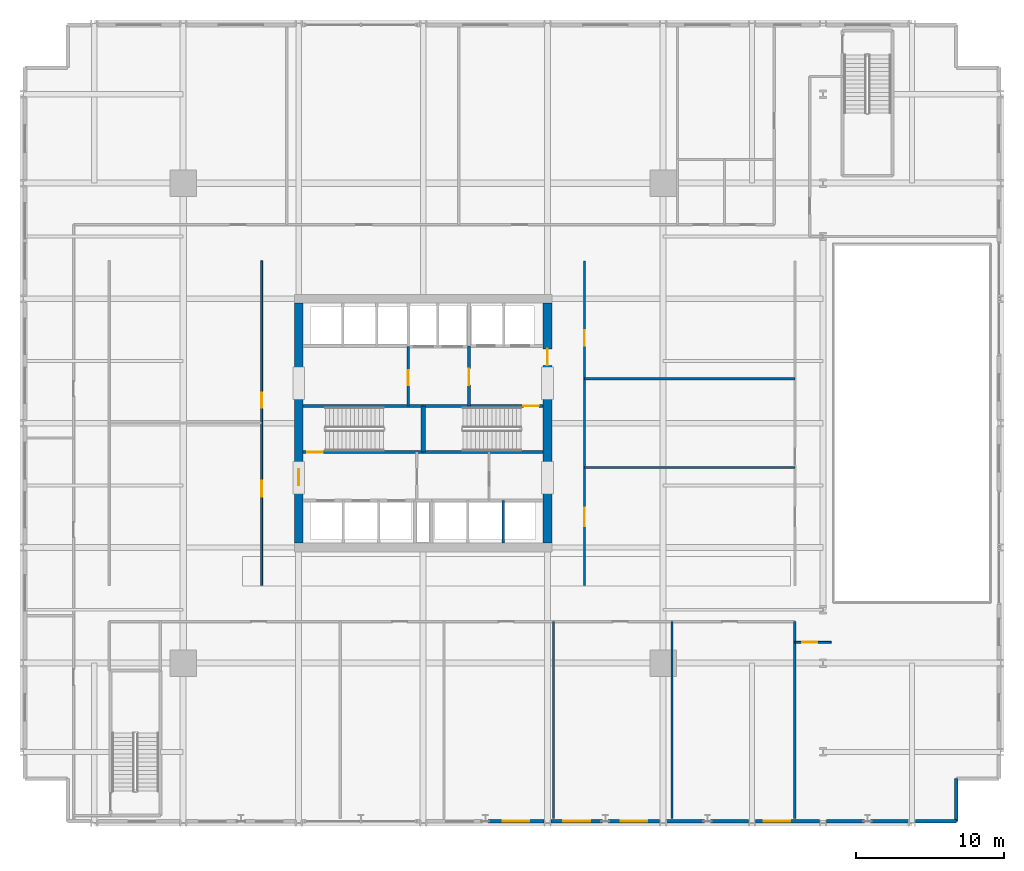
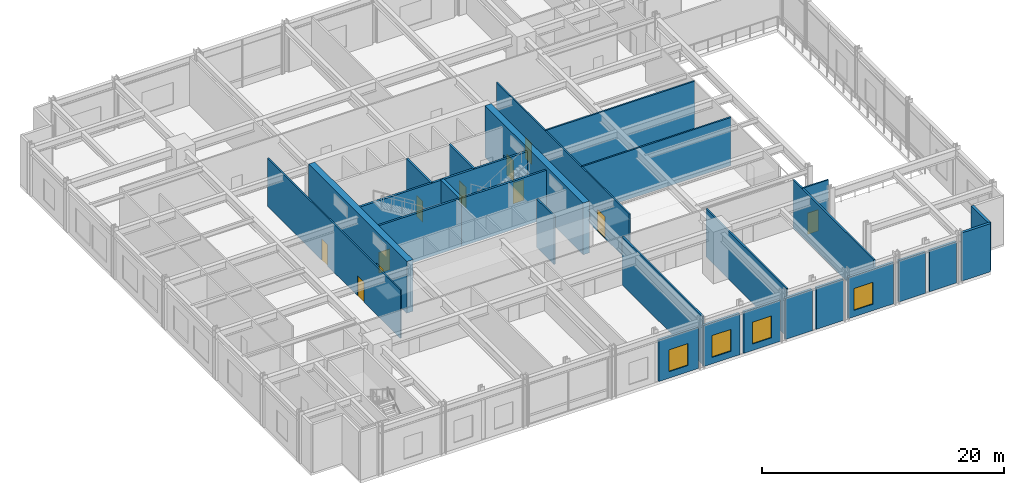
# One storey, part 12 of 21: 28 walls, 11 doors, 4 windows, 15 openings.
"""IFC4 building model written with IfcOpenShell, lengths in metres."""

from ifc_helpers import new_model, si_unit, direction, frame, frame_2d, origin, place, context, subcontext, project, spatial, rectangle, extrude, material, layer, layer_set, type_object, element, fill, save


model = new_model("IFC4")

# Units and contexts
model_context = context("Model", 3, precision=1e-05, world=origin(), true_north=direction((0.0, 1.0)))
body_context = subcontext(model_context, "Body", "Model", "MODEL_VIEW")
ifc_project = project(units=[si_unit("LENGTHUNIT", "METRE"), si_unit("AREAUNIT", "SQUARE_METRE"), si_unit("VOLUMEUNIT", "CUBIC_METRE"), si_unit("PLANEANGLEUNIT", "RADIAN"), si_unit("MASSUNIT", "GRAM", prefix="KILO")], contexts=[model_context])

# Site, building, storey
site_placement = place(None, origin())
site = spatial("IfcSite", under=ifc_project, at=site_placement, CompositionType="ELEMENT")
building_placement = place(site_placement, origin())
building = spatial("IfcBuilding", under=site, at=building_placement, Name="Drelvath Grand Hotel", CompositionType="ELEMENT")
storey_placement = place(building_placement, frame((0.0, 0.0, 22.39990234375)))
storey = spatial("IfcBuildingStorey", under=building, at=storey_placement, Name="L04", CompositionType="ELEMENT", Elevation=22.39990234375)

# Wall, opening, door
ifc_material_1 = material(Name="Concrete C40/50", Category="concrete")
ifc_layer_1 = layer(ifc_material_1, 0.199951171875)
ifc_layer_set_1 = layer_set([ifc_layer_1], Name="Concrete C40/50")
wall_type_1 = type_object("IfcWallType", Name="Core Shaft Fire Wall 200", PredefinedType="SOLIDWALL", material=ifc_layer_set_1)
wall_1_placement = place(storey_placement, frame((-8.10009765625, 25.0400390625, 0.0), z_axis=(0.0, 0.0, 1.0), x_axis=(1.0, 0.0, 0.0)))
wall_1 = element("IfcWall", 1, at=wall_1_placement, inside=storey, type_object=wall_type_1, Name="L04 Stair ST-1 South Wall", PredefinedType="SOLIDWALL", context=body_context, shape_type="SweptSolid", body=[
    extrude(rectangle(XDim=8.10009765625, YDim=0.199951171875, at=frame_2d((4.050048828125, 0.0))), origin(), (0.0, 0.0, 1.0), 4.85009765625),
])
opening_1_placement = place(wall_1_placement, frame((0.280029296875, 0.0, 0.0)))
opening_1 = element("IfcOpeningElement", 2, at=opening_1_placement, cuts=wall_1, Name="Opening D-L04-001", PredefinedType="OPENING", context=body_context, shape_type="SweptSolid", body=[
    extrude(rectangle(XDim=1.050048828125, YDim=2.10009765625, at=frame_2d((0.52490234375, 1.050048828125))), frame((0.0, 0.10986328125, 0.0), z_axis=(0.0, -1.0, 0.0), x_axis=(1.0, 0.0, 0.0)), (0.0, 0.0, 1.0), 0.219970703125),
])
ifc_material_2 = material(Name="Painted Steel S275", Category="steel")
door_type_1 = type_object("IfcDoorType", Name="Tower Stairwell Fire Door 1050x2100", OperationType="NOTDEFINED", PredefinedType="DOOR", material=ifc_material_2)
door_1_placement = place(opening_1_placement, origin())
door_1 = element("IfcDoor", 3, at=door_1_placement, inside=storey, type_object=door_type_1, Name="L04 Exit Stair ST-1 Door", OperationType="SINGLE_SWING_LEFT", OverallHeight=2.10009765625, OverallWidth=1.050048828125, PredefinedType="DOOR", context=body_context, shape_type="SweptSolid", body=[
    extrude(rectangle(XDim=1.050048828125, YDim=2.10009765625, at=frame_2d((0.52490234375, 1.050048828125))), frame((0.0, 0.02490234375, 0.0), z_axis=(0.0, -1.0, 0.0), x_axis=(1.0, 0.0, 0.0)), (0.0, 0.0, 1.0), 0.050048828125),
])
fill(opening_1, door_1)

# Walls
for number, where, z_axis, x_axis, name in (
    (4, (-8.10009765625, 28.159912109375, 0.0), (0.0, 0.0, 1.0), (1.0, 0.0, 0.0), "L04 Stair ST-1 North Wall"),
    (5, (0.0, 25.0400390625, 0.0), (0.0, 0.0, 1.0), (1.0, 0.0, 0.0), "L04 Stair ST-2 South Wall"),
):
    element("IfcWall", number, at=place(storey_placement, frame(where, z_axis=z_axis, x_axis=x_axis)), inside=storey, type_object=wall_type_1, Name=name, PredefinedType="SOLIDWALL", context=body_context, shape_type="SweptSolid", body=[
        extrude(rectangle(XDim=8.10009765625, YDim=0.199951171875, at=frame_2d((4.050048828125, 0.0))), origin(), (0.0, 0.0, 1.0), 4.85009765625),
    ])

# Wall, opening, door
wall_2_placement = place(storey_placement, frame((8.10009765625, 28.159912109375, 0.0), z_axis=(0.0, 0.0, 1.0), x_axis=(-1.0, 0.0, 0.0)))
wall_2 = element("IfcWall", 6, at=wall_2_placement, inside=storey, type_object=wall_type_1, Name="L04 Stair ST-2 North Wall", PredefinedType="SOLIDWALL", context=body_context, shape_type="SweptSolid", body=[
    extrude(rectangle(XDim=8.10009765625, YDim=0.199951171875, at=frame_2d((4.050048828125, 0.0))), origin(), (0.0, 0.0, 1.0), 4.85009765625),
])
opening_2_placement = place(wall_2_placement, frame((0.280029296875, 0.0, 0.0)))
opening_2 = element("IfcOpeningElement", 7, at=opening_2_placement, cuts=wall_2, Name="Opening D-L04-002", PredefinedType="OPENING", context=body_context, shape_type="SweptSolid", body=[
    extrude(rectangle(XDim=1.050048828125, YDim=2.10009765625, at=frame_2d((0.52490234375, 1.050048828125))), frame((0.0, 0.10986328125, 0.0), z_axis=(0.0, -1.0, 0.0), x_axis=(1.0, 0.0, 0.0)), (0.0, 0.0, 1.0), 0.219970703125),
])
door_2_placement = place(opening_2_placement, origin())
door_2 = element("IfcDoor", 8, at=door_2_placement, inside=storey, type_object=door_type_1, Name="L04 Exit Stair ST-2 Door", OperationType="SINGLE_SWING_LEFT", OverallHeight=2.10009765625, OverallWidth=1.050048828125, PredefinedType="DOOR", context=body_context, shape_type="SweptSolid", body=[
    extrude(rectangle(XDim=1.050048828125, YDim=2.10009765625, at=frame_2d((0.52490234375, 1.050048828125))), frame((0.0, 0.02490234375, 0.0), z_axis=(0.0, -1.0, 0.0), x_axis=(1.0, 0.0, 0.0)), (0.0, 0.0, 1.0), 0.050048828125),
])
fill(opening_2, door_2)

# Walls
ifc_layer_2 = layer(ifc_material_1, 0.300048828125)
ifc_layer_set_2 = layer_set([ifc_layer_2], Name="Concrete C40/50")
wall_type_2 = type_object("IfcWallType", Name="Core Shaft Fire Wall 300", PredefinedType="SOLIDWALL", material=ifc_layer_set_2)
wall_3_placement = place(storey_placement, frame((0.0, 25.0400390625, 0.0), z_axis=(0.0, 0.0, 1.0), x_axis=(0.0, 1.0, 0.0)))
element("IfcWall", 9, at=wall_3_placement, inside=storey, type_object=wall_type_2, Name="L04 Core Stair Divider Wall", PredefinedType="SOLIDWALL", context=body_context, shape_type="SweptSolid", body=[
    extrude(rectangle(XDim=3.119873046875, YDim=0.300048828125, at=frame_2d((1.56005859375, 0.0))), origin(), (0.0, 0.0, 1.0), 4.85009765625),
])
ifc_material_3 = material(Name="Gypsum Fireboard Partition")
ifc_layer_3 = layer(ifc_material_3, 0.1650390625)
ifc_layer_set_3 = layer_set([ifc_layer_3], Name="Gypsum Fireboard Partition")
wall_type_3 = type_object("IfcWallType", Name="Core Shaft Partition 165", PredefinedType="PARTITIONING", material=ifc_layer_set_3)
wall_4_placement = place(storey_placement, frame((5.39990234375, 18.89990234375, 0.0), z_axis=(0.0, 0.0, 1.0), x_axis=(0.0, 1.0, 0.0)))
element("IfcWall", 10, at=wall_4_placement, inside=storey, type_object=wall_type_3, Name="L04 Lift PE-5/6 Divider", PredefinedType="PARTITIONING", context=body_context, shape_type="SweptSolid", body=[
    extrude(rectangle(XDim=2.880126953125, YDim=0.1650390625, at=frame_2d((1.43994140625, 0.0))), origin(), (0.0, 0.0, 1.0), 4.85009765625),
])

# Wall, openings, doors
ifc_layer_4 = layer(ifc_material_3, 0.135009765625)
ifc_layer_set_4 = layer_set([ifc_layer_4], Name="Gypsum Fireboard Partition")
wall_type_4 = type_object("IfcWallType", Name="Corridor Fire Barrier Wall 135", PredefinedType="PARTITIONING", material=ifc_layer_set_4)
wall_5_placement = place(storey_placement, frame((-10.89990234375, 16.0400390625, 0.0), z_axis=(0.0, 0.0, 1.0), x_axis=(0.0, 1.0, 0.0)))
wall_5 = element("IfcWall", 11, at=wall_5_placement, inside=storey, type_object=wall_type_4, Name="L04 West Gallery Wall", PredefinedType="PARTITIONING", context=body_context, shape_type="SweptSolid", body=[
    extrude(rectangle(XDim=21.919921875, YDim=0.135009765625, at=frame_2d((10.9599609375, 0.0))), origin(), (0.0, 0.0, 1.0), 4.85009765625),
])
opening_3_placement = place(wall_5_placement, frame((12.0, 0.0, 0.0)))
opening_3 = element("IfcOpeningElement", 12, at=opening_3_placement, cuts=wall_5, Name="Opening D-L04-023", PredefinedType="OPENING", context=body_context, shape_type="SweptSolid", body=[
    extrude(rectangle(XDim=1.02001953125, YDim=2.14990234375, at=frame_2d((0.510009765625, 1.074951171875))), frame((0.0, 0.077392578125, 0.0), z_axis=(0.0, -1.0, 0.0), x_axis=(1.0, 0.0, 0.0)), (0.0, 0.0, 1.0), 0.155029296875),
])
opening_4_placement = place(wall_5_placement, frame((6.0, 0.0, 0.0)))
opening_4 = element("IfcOpeningElement", 13, at=opening_4_placement, cuts=wall_5, Name="Opening D-L04-037", PredefinedType="OPENING", context=body_context, shape_type="SweptSolid", body=[
    extrude(rectangle(XDim=1.080078125, YDim=2.0400390625, at=frame_2d((0.5400390625, 1.02001953125))), frame((0.0, 0.077392578125, 0.0), z_axis=(0.0, -1.0, 0.0), x_axis=(1.0, 0.0, 0.0)), (0.0, 0.0, 1.0), 0.155029296875),
])
ifc_material_4 = material(Name="Hardwood Walnut Timber", Category="wood")
door_type_2 = type_object("IfcDoorType", Name="Amenity Meeting Fire Door 1020x2150", OperationType="NOTDEFINED", PredefinedType="DOOR", material=ifc_material_4)
door_3_placement = place(opening_3_placement, origin())
door_3 = element("IfcDoor", 14, at=door_3_placement, inside=storey, type_object=door_type_2, Name="L04 Print Workroom Door", OperationType="SINGLE_SWING_RIGHT", OverallHeight=2.14990234375, OverallWidth=1.02001953125, PredefinedType="DOOR", context=body_context, shape_type="SweptSolid", body=[
    extrude(rectangle(XDim=1.02001953125, YDim=2.14990234375, at=frame_2d((0.510009765625, 1.074951171875))), frame((0.0, 0.02490234375, 0.0), z_axis=(0.0, -1.0, 0.0), x_axis=(1.0, 0.0, 0.0)), (0.0, 0.0, 1.0), 0.050048828125),
])
fill(opening_3, door_3)
door_type_3 = type_object("IfcDoorType", Name="Core Corridor Fire Door 1080x2100", OperationType="NOTDEFINED", PredefinedType="DOOR", material=ifc_material_2)
door_4_placement = place(opening_4_placement, origin())
door_4 = element("IfcDoor", 15, at=door_4_placement, inside=storey, type_object=door_type_3, Name="L04 Center-West Room Door", OperationType="SINGLE_SWING_RIGHT", OverallHeight=2.0400390625, OverallWidth=1.080078125, PredefinedType="DOOR", context=body_context, shape_type="SweptSolid", body=[
    extrude(rectangle(XDim=1.080078125, YDim=2.0400390625, at=frame_2d((0.5400390625, 1.02001953125))), frame((0.0, 0.02490234375, 0.0), z_axis=(0.0, -1.0, 0.0), x_axis=(1.0, 0.0, 0.0)), (0.0, 0.0, 1.0), 0.050048828125),
])
fill(opening_4, door_4)

wall_6_placement = place(storey_placement, frame((10.89990234375, 16.0400390625, 0.0), z_axis=(0.0, 0.0, 1.0), x_axis=(0.0, 1.0, 0.0)))
wall_6 = element("IfcWall", 16, at=wall_6_placement, inside=storey, type_object=wall_type_4, Name="L04 East Inner Gallery Wall", PredefinedType="PARTITIONING", context=body_context, shape_type="SweptSolid", body=[
    extrude(rectangle(XDim=21.919921875, YDim=0.135009765625, at=frame_2d((10.9599609375, 0.0))), origin(), (0.0, 0.0, 1.0), 4.85009765625),
])
opening_5_placement = place(wall_6_placement, frame((16.199951171875, 0.0, 0.0)))
opening_5 = element("IfcOpeningElement", 17, at=opening_5_placement, cuts=wall_6, Name="Opening D-L04-035", PredefinedType="OPENING", context=body_context, shape_type="SweptSolid", body=[
    extrude(rectangle(XDim=1.02001953125, YDim=2.14990234375, at=frame_2d((0.510009765625, 1.074951171875))), frame((0.0, 0.077392578125, 0.0), z_axis=(0.0, -1.0, 0.0), x_axis=(1.0, 0.0, 0.0)), (0.0, 0.0, 1.0), 0.155029296875),
])
opening_6_placement = place(wall_6_placement, frame((4.0, 0.0, 0.0)))
opening_6 = element("IfcOpeningElement", 18, at=opening_6_placement, cuts=wall_6, Name="Opening D-L04-038", PredefinedType="OPENING", context=body_context, shape_type="SweptSolid", body=[
    extrude(rectangle(XDim=1.260009765625, YDim=2.199951171875, at=frame_2d((0.6298828125, 1.10009765625))), frame((0.0, 0.077392578125, 0.0), z_axis=(0.0, -1.0, 0.0), x_axis=(1.0, 0.0, 0.0)), (0.0, 0.0, 1.0), 0.155029296875),
])
door_5_placement = place(opening_5_placement, origin())
door_5 = element("IfcDoor", 19, at=door_5_placement, inside=storey, type_object=door_type_2, Name="L04 Executive Caucus Door", OperationType="SINGLE_SWING_RIGHT", OverallHeight=2.14990234375, OverallWidth=1.02001953125, PredefinedType="DOOR", context=body_context, shape_type="SweptSolid", body=[
    extrude(rectangle(XDim=1.02001953125, YDim=2.14990234375, at=frame_2d((0.510009765625, 1.074951171875))), frame((0.0, 0.02490234375, 0.0), z_axis=(0.0, -1.0, 0.0), x_axis=(1.0, 0.0, 0.0)), (0.0, 0.0, 1.0), 0.050048828125),
])
fill(opening_5, door_5)
door_type_4 = type_object("IfcDoorType", Name="Suite Entrance Fire Door 1260x2200", OperationType="NOTDEFINED", PredefinedType="DOOR", material=ifc_material_4)
door_6_placement = place(opening_6_placement, origin())
door_6 = element("IfcDoor", 20, at=door_6_placement, inside=storey, type_object=door_type_4, Name="L04 Center-East Room West Door", OperationType="SINGLE_SWING_LEFT", OverallHeight=2.199951171875, OverallWidth=1.260009765625, PredefinedType="DOOR", context=body_context, shape_type="SweptSolid", body=[
    extrude(rectangle(XDim=1.260009765625, YDim=2.199951171875, at=frame_2d((0.6298828125, 1.10009765625))), frame((0.0, 0.02490234375, 0.0), z_axis=(0.0, -1.0, 0.0), x_axis=(1.0, 0.0, 0.0)), (0.0, 0.0, 1.0), 0.050048828125),
])
fill(opening_6, door_6)

# Wall, opening, door
wall_7_placement = place(storey_placement, frame((25.10009765625, 12.199951171875, 0.0), z_axis=(0.0, 0.0, 1.0), x_axis=(1.0, 0.0, 0.0)))
wall_7 = element("IfcWall", 21, at=wall_7_placement, inside=storey, type_object=wall_type_4, Name="L04 SE Atrium Corner Return", PredefinedType="PARTITIONING", context=body_context, shape_type="SweptSolid", body=[
    extrude(rectangle(XDim=2.449951171875, YDim=0.135009765625, at=frame_2d((1.22509765625, 0.0))), origin(), (0.0, 0.0, 1.0), 4.85009765625),
])
opening_7_placement = place(wall_7_placement, frame((0.5, 0.0, 0.0)))
opening_7 = element("IfcOpeningElement", 22, at=opening_7_placement, cuts=wall_7, Name="Opening D-L04-021", PredefinedType="OPENING", context=body_context, shape_type="SweptSolid", body=[
    extrude(rectangle(XDim=1.02001953125, YDim=2.14990234375, at=frame_2d((0.510009765625, 1.074951171875))), frame((0.0, 0.077392578125, 0.0), z_axis=(0.0, -1.0, 0.0), x_axis=(1.0, 0.0, 0.0)), (0.0, 0.0, 1.0), 0.155029296875),
])
door_7_placement = place(opening_7_placement, origin())
door_7 = element("IfcDoor", 23, at=door_7_placement, inside=storey, type_object=door_type_2, Name="L04 SE VIP Salon Door", OperationType="SINGLE_SWING_RIGHT", OverallHeight=2.14990234375, OverallWidth=1.02001953125, PredefinedType="DOOR", context=body_context, shape_type="SweptSolid", body=[
    extrude(rectangle(XDim=1.02001953125, YDim=2.14990234375, at=frame_2d((0.510009765625, 1.074951171875))), frame((0.0, 0.02490234375, 0.0), z_axis=(0.0, -1.0, 0.0), x_axis=(1.0, 0.0, 0.0)), (0.0, 0.0, 1.0), 0.050048828125),
])
fill(opening_7, door_7)

ifc_layer_5 = layer(ifc_material_3, 0.179931640625)
ifc_layer_set_5 = layer_set([ifc_layer_5], Name="Gypsum Fireboard Partition")
wall_type_5 = type_object("IfcWallType", Name="FSAE Smoke Lobby Fire Wall 180", PredefinedType="SOLIDWALL", material=ifc_layer_set_5)
wall_8_placement = place(storey_placement, frame((3.10009765625, 28.159912109375, 0.0), z_axis=(0.0, 0.0, 1.0), x_axis=(0.0, 1.0, 0.0)))
wall_8 = element("IfcWall", 24, at=wall_8_placement, inside=storey, type_object=wall_type_5, Name="L04 FSAE Smoke Lobby West Wall", PredefinedType="SOLIDWALL", context=body_context, shape_type="SweptSolid", body=[
    extrude(rectangle(XDim=4.06005859375, YDim=0.179931640625, at=frame_2d((2.030029296875, 0.0))), origin(), (0.0, 0.0, 1.0), 4.85009765625),
])
opening_8_placement = place(wall_8_placement, frame((1.39990234375, 0.0, 0.0)))
opening_8 = element("IfcOpeningElement", 25, at=opening_8_placement, cuts=wall_8, Name="Opening D-L04-005", PredefinedType="OPENING", context=body_context, shape_type="SweptSolid", body=[
    extrude(rectangle(XDim=1.1201171875, YDim=2.10009765625, at=frame_2d((0.56005859375, 1.050048828125))), frame((0.0, 0.099853515625, 0.0), z_axis=(0.0, -1.0, 0.0), x_axis=(1.0, 0.0, 0.0)), (0.0, 0.0, 1.0), 0.199951171875),
])
door_type_5 = type_object("IfcDoorType", Name="FSAE Smoke Lobby Fire Door 1120x2100", OperationType="NOTDEFINED", PredefinedType="DOOR", material=ifc_material_2)
door_8_placement = place(opening_8_placement, origin())
door_8 = element("IfcDoor", 26, at=door_8_placement, inside=storey, type_object=door_type_5, Name="L04 FSAE Lobby Service Vestibule Door", OperationType="SINGLE_SWING_RIGHT", OverallHeight=2.10009765625, OverallWidth=1.1201171875, PredefinedType="DOOR", context=body_context, shape_type="SweptSolid", body=[
    extrude(rectangle(XDim=1.1201171875, YDim=2.10009765625, at=frame_2d((0.56005859375, 1.050048828125))), frame((0.0, 0.02490234375, 0.0), z_axis=(0.0, -1.0, 0.0), x_axis=(1.0, 0.0, 0.0)), (0.0, 0.0, 1.0), 0.050048828125),
])
fill(opening_8, door_8)

wall_9_placement = place(storey_placement, frame((-1.0, 28.159912109375, 0.0), z_axis=(0.0, 0.0, 1.0), x_axis=(0.0, 1.0, 0.0)))
wall_9 = element("IfcWall", 27, at=wall_9_placement, inside=storey, type_object=wall_type_5, Name="L04 Service Vestibule West Wall", PredefinedType="SOLIDWALL", context=body_context, shape_type="SweptSolid", body=[
    extrude(rectangle(XDim=4.02001953125, YDim=0.179931640625, at=frame_2d((2.010009765625, 0.0))), origin(), (0.0, 0.0, 1.0), 4.85009765625),
])
opening_9_placement = place(wall_9_placement, frame((1.39990234375, 0.0, 0.0)))
opening_9 = element("IfcOpeningElement", 28, at=opening_9_placement, cuts=wall_9, Name="Opening D-L04-009", PredefinedType="OPENING", context=body_context, shape_type="SweptSolid", body=[
    extrude(rectangle(XDim=1.0, YDim=2.10009765625, at=frame_2d((0.5, 1.050048828125))), frame((0.0, 0.099853515625, 0.0), z_axis=(0.0, -1.0, 0.0), x_axis=(1.0, 0.0, 0.0)), (0.0, 0.0, 1.0), 0.199951171875),
])
door_type_6 = type_object("IfcDoorType", Name="Core Service Fire Door 1000x2100", OperationType="NOTDEFINED", PredefinedType="DOOR", material=ifc_material_2)
door_9_placement = place(opening_9_placement, origin())
door_9 = element("IfcDoor", 29, at=door_9_placement, inside=storey, type_object=door_type_6, Name="L04 Service Vestibule West Door", OperationType="SINGLE_SWING_LEFT", OverallHeight=2.10009765625, OverallWidth=1.0, PredefinedType="DOOR", context=body_context, shape_type="SweptSolid", body=[
    extrude(rectangle(XDim=1.0, YDim=2.10009765625, at=frame_2d((0.5, 1.050048828125))), frame((0.0, 0.02490234375, 0.0), z_axis=(0.0, -1.0, 0.0), x_axis=(1.0, 0.0, 0.0)), (0.0, 0.0, 1.0), 0.050048828125),
])
fill(opening_9, door_9)

# Walls
ifc_material_5 = material(Name="Gypsum Acoustic Partition")
ifc_layer_6 = layer(ifc_material_5, 0.14990234375)
ifc_layer_set_6 = layer_set([ifc_layer_6], Name="Gypsum Acoustic Partition")
wall_type_6 = type_object("IfcWallType", Name="Guestroom Demising Wall 150", PredefinedType="PARTITIONING", material=ifc_layer_set_6)
for number, where, z_axis, x_axis, name in (
    (30, (8.800048828125, 0.300048828125, 0.0), (0.0, 0.0, 1.0), (0.0, 1.0, 0.0), "L04 L04 South Split 8.8"),
    (31, (16.800048828125, 0.300048828125, 0.0), (0.0, 0.0, 1.0), (0.0, 1.0, 0.0), "L04 L04 South Split 16.8"),
):
    element("IfcWall", number, at=place(storey_placement, frame(where, z_axis=z_axis, x_axis=x_axis)), inside=storey, type_object=wall_type_6, Name=name, PredefinedType="PARTITIONING", context=body_context, shape_type="SweptSolid", body=[
        extrude(rectangle(XDim=13.300048828125, YDim=0.14990234375, at=frame_2d((6.64990234375, 0.0))), origin(), (0.0, 0.0, 1.0), 4.85009765625),
    ])
for number, where, z_axis, x_axis, name in (
    (32, (10.89990234375, 24.0, 0.0), (0.0, 0.0, 1.0), (1.0, 0.0, 0.0), "L04 L04 East Split 1"),
    (33, (10.89990234375, 30.0, 0.0), (0.0, 0.0, 1.0), (1.0, 0.0, 0.0), "L04 L04 East Split 2"),
):
    element("IfcWall", number, at=place(storey_placement, frame(where, z_axis=z_axis, x_axis=x_axis)), inside=storey, type_object=wall_type_6, Name=name, PredefinedType="PARTITIONING", context=body_context, shape_type="SweptSolid", body=[
        extrude(rectangle(XDim=14.2001953125, YDim=0.14990234375, at=frame_2d((7.10009765625, 0.0))), origin(), (0.0, 0.0, 1.0), 4.85009765625),
    ])

# Wall, opening, door
ifc_material_6 = material(Name="Concrete f'c 70 MPa", Category="concrete")
ifc_layer_7 = layer(ifc_material_6, 0.60009765625)
ifc_layer_set_7 = layer_set([ifc_layer_7], Name="Concrete f'c 70 MPa")
wall_type_7 = type_object("IfcWallType", Name="Lower Core RC Shear Wall 600", PredefinedType="SHEAR", material=ifc_layer_set_7)
wall_10_placement = place(storey_placement, frame((8.39990234375, 35.10009765625, 0.0), z_axis=(0.0, 0.0, 1.0), x_axis=(0.0, -1.0, 0.0)))
wall_10 = element("IfcWall", 34, at=wall_10_placement, inside=storey, type_object=wall_type_7, Name="L04 Central Core Shear Wall E", PredefinedType="SHEAR", context=body_context, shape_type="SweptSolid", body=[
    extrude(rectangle(XDim=16.2001953125, YDim=0.60009765625, at=frame_2d((8.10009765625, 0.0))), origin(), (0.0, 0.0, 1.0), 5.2001953125),
])
opening_10_placement = place(wall_10_placement, frame((3.080078125, 0.0, 0.0)))
opening_10 = element("IfcOpeningElement", 35, at=opening_10_placement, cuts=wall_10, Name="Opening D-L04-006", PredefinedType="OPENING", context=body_context, shape_type="SweptSolid", body=[
    extrude(rectangle(XDim=1.1201171875, YDim=2.10009765625, at=frame_2d((0.56005859375, 1.050048828125))), frame((0.0, 0.31005859375, 0.0), z_axis=(0.0, -1.0, 0.0), x_axis=(1.0, 0.0, 0.0)), (0.0, 0.0, 1.0), 0.6201171875),
])
door_10_placement = place(opening_10_placement, origin())
door_10 = element("IfcDoor", 36, at=door_10_placement, inside=storey, type_object=door_type_5, Name="L04 FSAE Lobby East Corridor Door", OperationType="SINGLE_SWING_LEFT", OverallHeight=2.10009765625, OverallWidth=1.1201171875, PredefinedType="DOOR", context=body_context, shape_type="SweptSolid", body=[
    extrude(rectangle(XDim=1.1201171875, YDim=2.10009765625, at=frame_2d((0.56005859375, 1.050048828125))), frame((0.0, 0.02490234375, 0.0), z_axis=(0.0, -1.0, 0.0), x_axis=(1.0, 0.0, 0.0)), (0.0, 0.0, 1.0), 0.050048828125),
])
fill(opening_10, door_10)

wall_11_placement = place(storey_placement, frame((-8.39990234375, 18.89990234375, 0.0), z_axis=(0.0, 0.0, 1.0), x_axis=(0.0, 1.0, 0.0)))
wall_11 = element("IfcWall", 37, at=wall_11_placement, inside=storey, type_object=wall_type_7, Name="L04 Central Core Shear Wall W", PredefinedType="SHEAR", context=body_context, shape_type="SweptSolid", body=[
    extrude(rectangle(XDim=16.2001953125, YDim=0.60009765625, at=frame_2d((8.10009765625, 0.0))), origin(), (0.0, 0.0, 1.0), 5.2001953125),
])
opening_11_placement = place(wall_11_placement, frame((3.89990234375, 0.0, 0.0)))
opening_11 = element("IfcOpeningElement", 38, at=opening_11_placement, cuts=wall_11, Name="Opening D-L04-014", PredefinedType="OPENING", context=body_context, shape_type="SweptSolid", body=[
    extrude(rectangle(XDim=1.080078125, YDim=2.0400390625, at=frame_2d((0.5400390625, 1.02001953125))), frame((0.0, 0.31005859375, 0.0), z_axis=(0.0, -1.0, 0.0), x_axis=(1.0, 0.0, 0.0)), (0.0, 0.0, 1.0), 0.6201171875),
])
door_11_placement = place(opening_11_placement, origin())
door_11 = element("IfcDoor", 39, at=door_11_placement, inside=storey, type_object=door_type_3, Name="L04 Low-Rise Lobby West Door", OperationType="SINGLE_SWING_LEFT", OverallHeight=2.0400390625, OverallWidth=1.080078125, PredefinedType="DOOR", context=body_context, shape_type="SweptSolid", body=[
    extrude(rectangle(XDim=1.080078125, YDim=2.0400390625, at=frame_2d((0.5400390625, 1.02001953125))), frame((0.0, 0.02490234375, 0.0), z_axis=(0.0, -1.0, 0.0), x_axis=(1.0, 0.0, 0.0)), (0.0, 0.0, 1.0), 0.050048828125),
])
fill(opening_11, door_11)

# Wall, opening, window
ifc_material_7 = material(Name="Insulated Granite Rainscreen Assembly", Category="masonry")
ifc_layer_8 = layer(ifc_material_7, 0.239990234375)
ifc_layer_set_8 = layer_set([ifc_layer_8], Name="Insulated Granite Rainscreen Assembly")
wall_type_8 = type_object("IfcWallType", Name="Podium Granite Rainscreen Exterior Wall 240", PredefinedType="STANDARD", material=ifc_layer_set_8)
wall_12_placement = place(storey_placement, frame((8.1591796875, 0.1201171875, 0.0), z_axis=(0.0, 0.0, 1.0), x_axis=(-1.0, 0.0, 0.0)))
wall_12 = element("IfcWall", 40, at=wall_12_placement, inside=storey, type_object=wall_type_8, Name="L04 South Podium Granite Wall 8", PredefinedType="STANDARD", context=body_context, shape_type="SweptSolid", body=[
    extrude(rectangle(XDim=3.7666015625, YDim=0.239990234375, at=frame_2d((1.88330078125, 0.0))), origin(), (0.0, 0.0, 1.0), 4.154541015625),
])
opening_12_placement = place(wall_12_placement, frame((0.983154296875, 0.0, 0.64990234375)))
opening_12 = element("IfcOpeningElement", 41, at=opening_12_placement, cuts=wall_12, Name="Opening W-02", PredefinedType="OPENING", context=body_context, shape_type="SweptSolid", body=[
    extrude(rectangle(XDim=1.800048828125, YDim=2.199951171875, at=frame_2d((0.89990234375, 1.10009765625))), frame((0.0, 0.1298828125, 0.0), z_axis=(0.0, -1.0, 0.0), x_axis=(1.0, 0.0, 0.0)), (0.0, 0.0, 1.0), 0.260009765625),
])
ifc_material_8 = material(Name="Bronze Anodised Low-E Triple Glazing", Category="glass")
window_type = type_object("IfcWindowType", Name="Chicago Double-Pane Podium Window 1800x2400", PartitioningType="DOUBLE_PANEL_VERTICAL", PredefinedType="WINDOW", material=ifc_material_8)
window_1_placement = place(opening_12_placement, origin())
window_1 = element("IfcWindow", 42, at=window_1_placement, inside=storey, type_object=window_type, Name="L04 South Chicago Window 8", OverallHeight=2.199951171875, OverallWidth=1.800048828125, PartitioningType="SINGLE_PANEL", PredefinedType="WINDOW", context=body_context, shape_type="SweptSolid", body=[
    extrude(rectangle(XDim=1.800048828125, YDim=2.199951171875, at=frame_2d((0.89990234375, 1.10009765625))), frame((0.0, 0.030029296875, 0.0), z_axis=(0.0, -1.0, 0.0), x_axis=(1.0, 0.0, 0.0)), (0.0, 0.0, 1.0), 0.06005859375),
])
fill(opening_12, window_1)

wall_13_placement = place(storey_placement, frame((12.107421875, 0.1201171875, 0.0), z_axis=(0.0, 0.0, 1.0), x_axis=(-1.0, 0.0, 0.0)))
wall_13 = element("IfcWall", 43, at=wall_13_placement, inside=storey, type_object=wall_type_8, Name="L04 South Podium Granite Wall 9", PredefinedType="STANDARD", context=body_context, shape_type="SweptSolid", body=[
    extrude(rectangle(XDim=3.466552734375, YDim=0.239990234375, at=frame_2d((1.7333984375, 0.0))), origin(), (0.0, 0.0, 1.0), 4.154541015625),
])
opening_13_placement = place(wall_13_placement, frame((0.833251953125, 0.0, 0.64990234375)))
opening_13 = element("IfcOpeningElement", 44, at=opening_13_placement, cuts=wall_13, Name="Opening W-02", PredefinedType="OPENING", context=body_context, shape_type="SweptSolid", body=[
    extrude(rectangle(XDim=1.800048828125, YDim=2.199951171875, at=frame_2d((0.89990234375, 1.10009765625))), frame((0.0, 0.1298828125, 0.0), z_axis=(0.0, -1.0, 0.0), x_axis=(1.0, 0.0, 0.0)), (0.0, 0.0, 1.0), 0.260009765625),
])
window_2_placement = place(opening_13_placement, origin())
window_2 = element("IfcWindow", 45, at=window_2_placement, inside=storey, type_object=window_type, Name="L04 South Chicago Window 9", OverallHeight=2.199951171875, OverallWidth=1.800048828125, PartitioningType="SINGLE_PANEL", PredefinedType="WINDOW", context=body_context, shape_type="SweptSolid", body=[
    extrude(rectangle(XDim=1.800048828125, YDim=2.199951171875, at=frame_2d((0.89990234375, 1.10009765625))), frame((0.0, 0.030029296875, 0.0), z_axis=(0.0, -1.0, 0.0), x_axis=(1.0, 0.0, 0.0)), (0.0, 0.0, 1.0), 0.06005859375),
])
fill(opening_13, window_2)

wall_14_placement = place(storey_placement, frame((15.958984375, 0.1201171875, 0.0), z_axis=(0.0, 0.0, 1.0), x_axis=(-1.0, 0.0, 0.0)))
wall_14 = element("IfcWall", 46, at=wall_14_placement, inside=storey, type_object=wall_type_8, Name="L04 South Podium Granite Wall 10", PredefinedType="STANDARD", context=body_context, shape_type="SweptSolid", body=[
    extrude(rectangle(XDim=3.46630859375, YDim=0.239990234375, at=frame_2d((1.733154296875, 0.0))), origin(), (0.0, 0.0, 1.0), 4.154541015625),
])
opening_14_placement = place(wall_14_placement, frame((0.833251953125, 0.0, 0.64990234375)))
opening_14 = element("IfcOpeningElement", 47, at=opening_14_placement, cuts=wall_14, Name="Opening W-02", PredefinedType="OPENING", context=body_context, shape_type="SweptSolid", body=[
    extrude(rectangle(XDim=1.800048828125, YDim=2.199951171875, at=frame_2d((0.89990234375, 1.10009765625))), frame((0.0, 0.1298828125, 0.0), z_axis=(0.0, -1.0, 0.0), x_axis=(1.0, 0.0, 0.0)), (0.0, 0.0, 1.0), 0.260009765625),
])
window_3_placement = place(opening_14_placement, origin())
window_3 = element("IfcWindow", 48, at=window_3_placement, inside=storey, type_object=window_type, Name="L04 South Chicago Window 10", OverallHeight=2.199951171875, OverallWidth=1.800048828125, PartitioningType="SINGLE_PANEL", PredefinedType="WINDOW", context=body_context, shape_type="SweptSolid", body=[
    extrude(rectangle(XDim=1.800048828125, YDim=2.199951171875, at=frame_2d((0.89990234375, 1.10009765625))), frame((0.0, 0.030029296875, 0.0), z_axis=(0.0, -1.0, 0.0), x_axis=(1.0, 0.0, 0.0)), (0.0, 0.0, 1.0), 0.06005859375),
])
fill(opening_14, window_3)

# Walls
for number, where, z_axis, x_axis, name in (
    (49, (19.00732421875, 0.1201171875, 0.0), (0.0, 0.0, 1.0), (-1.0, 0.0, 0.0), "L04 South Podium Granite Wall 11"),
    (50, (21.958984375, 0.1201171875, 0.0), (0.0, 0.0, 1.0), (-1.0, 0.0, 0.0), "L04 South Podium Granite Wall 12"),
):
    element("IfcWall", number, at=place(storey_placement, frame(where, z_axis=z_axis, x_axis=x_axis)), inside=storey, type_object=wall_type_8, Name=name, PredefinedType="STANDARD", context=body_context, shape_type="SweptSolid", body=[
        extrude(rectangle(XDim=2.56640625, YDim=0.239990234375, at=frame_2d((1.283203125, 0.0))), origin(), (0.0, 0.0, 1.0), 4.154541015625),
    ])

# Wall, opening, window
wall_15_placement = place(storey_placement, frame((26.759033203125, 0.1201171875, 0.0), z_axis=(0.0, 0.0, 1.0), x_axis=(-1.0, 0.0, 0.0)))
wall_15 = element("IfcWall", 51, at=wall_15_placement, inside=storey, type_object=wall_type_8, Name="L04 South Podium Granite Wall 13", PredefinedType="STANDARD", context=body_context, shape_type="SweptSolid", body=[
    extrude(rectangle(XDim=4.318115234375, YDim=0.239990234375, at=frame_2d((2.1591796875, 0.0))), origin(), (0.0, 0.0, 1.0), 4.154541015625),
])
opening_15_placement = place(wall_15_placement, frame((1.958984375, 0.0, 0.64990234375)))
opening_15 = element("IfcOpeningElement", 52, at=opening_15_placement, cuts=wall_15, Name="Opening W-02", PredefinedType="OPENING", context=body_context, shape_type="SweptSolid", body=[
    extrude(rectangle(XDim=1.800048828125, YDim=2.199951171875, at=frame_2d((0.89990234375, 1.10009765625))), frame((0.0, 0.1298828125, 0.0), z_axis=(0.0, -1.0, 0.0), x_axis=(1.0, 0.0, 0.0)), (0.0, 0.0, 1.0), 0.260009765625),
])
window_4_placement = place(opening_15_placement, origin())
window_4 = element("IfcWindow", 53, at=window_4_placement, inside=storey, type_object=window_type, Name="L04 South Chicago Window 13", OverallHeight=2.199951171875, OverallWidth=1.800048828125, PartitioningType="SINGLE_PANEL", PredefinedType="WINDOW", context=body_context, shape_type="SweptSolid", body=[
    extrude(rectangle(XDim=1.800048828125, YDim=2.199951171875, at=frame_2d((0.89990234375, 1.10009765625))), frame((0.0, 0.030029296875, 0.0), z_axis=(0.0, -1.0, 0.0), x_axis=(1.0, 0.0, 0.0)), (0.0, 0.0, 1.0), 0.06005859375),
])
fill(opening_15, window_4)

# Walls
for number, where, z_axis, x_axis, name in (
    (54, (29.807373046875, 0.1201171875, 0.0), (0.0, 0.0, 1.0), (-1.0, 0.0, 0.0), "L04 South Podium Granite Wall 14"),
    (55, (32.759033203125, 0.1201171875, 0.0), (0.0, 0.0, 1.0), (-1.0, 0.0, 0.0), "L04 South Podium Granite Wall 15"),
):
    element("IfcWall", number, at=place(storey_placement, frame(where, z_axis=z_axis, x_axis=x_axis)), inside=storey, type_object=wall_type_8, Name=name, PredefinedType="STANDARD", context=body_context, shape_type="SweptSolid", body=[
        extrude(rectangle(XDim=2.56640625, YDim=0.239990234375, at=frame_2d((1.283203125, 0.0))), origin(), (0.0, 0.0, 1.0), 4.154541015625),
    ])
wall_16_placement = place(storey_placement, frame((36.0, 0.1201171875, 0.0), z_axis=(0.0, 0.0, 1.0), x_axis=(-1.0, 0.0, 0.0)))
element("IfcWall", 56, at=wall_16_placement, inside=storey, type_object=wall_type_8, Name="L04 South Podium Granite Wall 16", PredefinedType="STANDARD", context=body_context, shape_type="SweptSolid", body=[
    extrude(rectangle(XDim=2.759033203125, YDim=0.239990234375, at=frame_2d((1.37939453125, 0.0))), origin(), (0.0, 0.0, 1.0), 4.85009765625),
])
wall_17_placement = place(storey_placement, frame((36.0, 3.0, 0.0), z_axis=(0.0, 0.0, 1.0), x_axis=(0.0, -1.0, 0.0)))
element("IfcWall", 57, at=wall_17_placement, inside=storey, type_object=wall_type_8, Name="L04 Podium Corner Return Wall CSE2", PredefinedType="STANDARD", context=body_context, shape_type="SweptSolid", body=[
    extrude(rectangle(XDim=2.8798828125, YDim=0.239990234375, at=frame_2d((1.43994140625, 0.0))), origin(), (0.0, 0.0, 1.0), 4.85009765625),
])
ifc_layer_9 = layer(ifc_material_5, 0.1650390625)
ifc_layer_set_9 = layer_set([ifc_layer_9], Name="Gypsum Acoustic Partition")
wall_type_9 = type_object("IfcWallType", Name="Suite Demising Wall 165", PredefinedType="PARTITIONING", material=ifc_layer_set_9)
wall_18_placement = place(storey_placement, frame((25.10009765625, 0.300048828125, 0.0), z_axis=(0.0, 0.0, 1.0), x_axis=(0.0, 1.0, 0.0)))
element("IfcWall", 58, at=wall_18_placement, inside=storey, type_object=wall_type_9, Name="L04 SE Wing Wall", PredefinedType="PARTITIONING", context=body_context, shape_type="SweptSolid", body=[
    extrude(rectangle(XDim=13.300048828125, YDim=0.1650390625, at=frame_2d((6.64990234375, 0.0))), origin(), (0.0, 0.0, 1.0), 4.85009765625),
])

save(model, "model.ifc")
